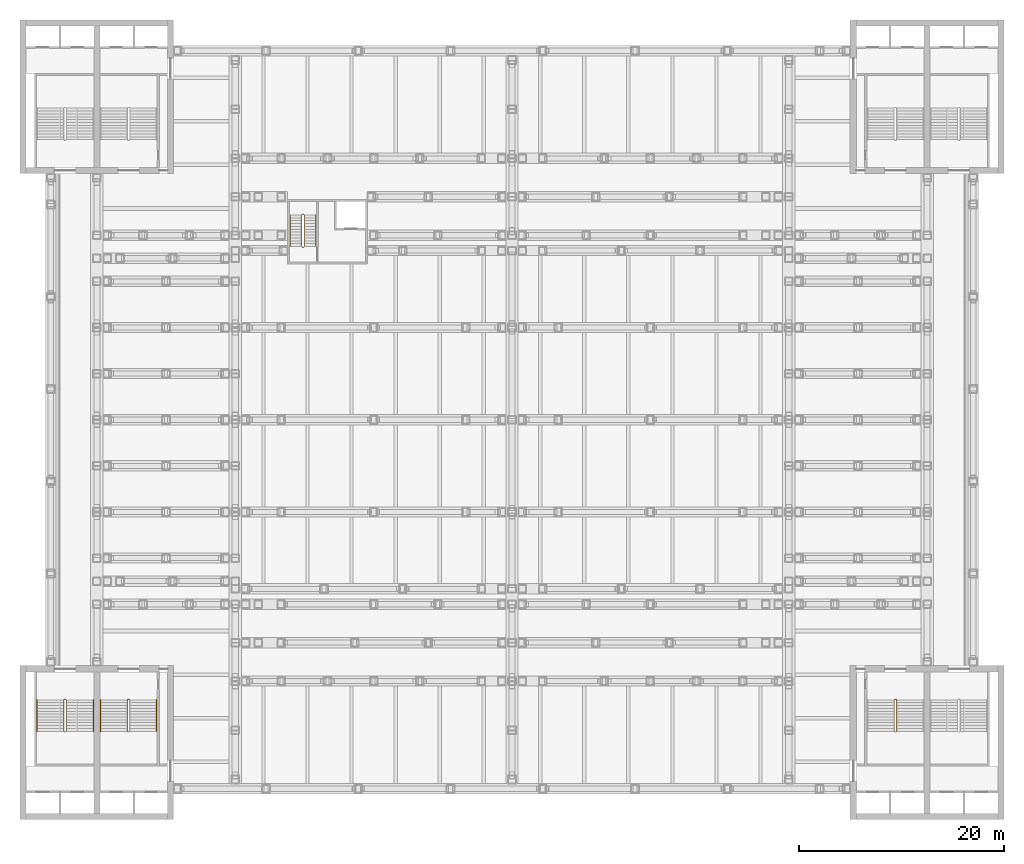
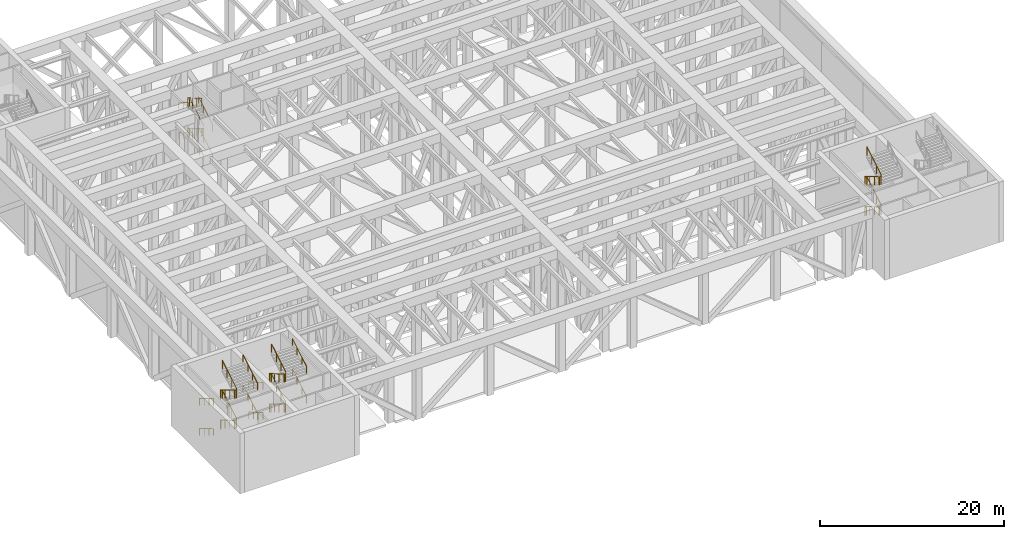
# One storey, part 18 of 20: 6 railings.
"""IFC4 building model written with IfcOpenShell, lengths in metres."""

import ifcopenshell
import ifcopenshell.guid

model = None  # the IFC model being written
_history = None  # IfcOwnerHistory: only IFC2X3 demands one
_inside = {}  # id of a spatial element -> (the spatial element, [elements in it])
_under = {}  # id of a project, library or spatial element -> (it, [spatial elements below it])
_declared = {}  # id of a project -> (the project, [libraries it declares])
_typed = {}  # id of a type object -> (the type object, [elements of that type])
_made_of = {}  # id of a material, layer set ... -> (it, [elements and type objects made of it])


def new_model(schema):
    """Start an empty IFC model of exactly this schema.

    Asked for "IFC4X3", IfcOpenShell would pick the latest addendum, in which some entities
    have other attributes; the version numbers below select the first issue.
    IFC2X3 requires an IfcOwnerHistory on every rooted entity: one is made here for all.
    """
    global model, _history
    if schema == "IFC4X3":
        model = ifcopenshell.file(schema_version=(4, 3, 0, 0))
    else:
        model = ifcopenshell.file(schema=schema)
    _inside.clear()
    _under.clear()
    _declared.clear()
    _typed.clear()
    _made_of.clear()
    _history = None
    if model.schema == "IFC2X3":
        org = make("IfcOrganization", Name="unknown")
        user = make(
            "IfcPersonAndOrganization",
            ThePerson=make("IfcPerson", FamilyName="unknown"),
            TheOrganization=org,
        )
        app = make(
            "IfcApplication",
            ApplicationDeveloper=org,
            Version="unknown",
            ApplicationFullName="unknown",
            ApplicationIdentifier="unknown",
        )
        _history = make(
            "IfcOwnerHistory",
            OwningUser=user,
            OwningApplication=app,
            ChangeAction="ADDED",
            CreationDate=0,
        )
    return model


def make(cls, **values):
    """One entity of the class cls with the attributes given. An attribute that is None is left unset."""
    return model.create_entity(
        cls, **{name: value for name, value in values.items() if value is not None}
    )


def rooted(cls, **values):
    """An entity with a GlobalId (a new one), such as an element, a storey or a relation."""
    return make(cls, GlobalId=ifcopenshell.guid.new(), OwnerHistory=_history, **values)


def si_unit(unit_type, name, prefix=None):
    """IfcSIUnit, for example si_unit("LENGTHUNIT", "METRE", prefix="MILLI")."""
    return make("IfcSIUnit", UnitType=unit_type, Prefix=prefix, Name=name)


def assignment(units):
    """IfcUnitAssignment: the units of a project."""
    return None if units is None else make("IfcUnitAssignment", Units=units)


def point(xyz):
    """IfcCartesianPoint."""
    return None if xyz is None else make("IfcCartesianPoint", Coordinates=xyz)


def direction(xyz):
    """IfcDirection."""
    return None if xyz is None else make("IfcDirection", DirectionRatios=xyz)


def frame(location, z_axis=None, x_axis=None):
    """IfcAxis2Placement3D, a coordinate frame: its origin and axes. An axis left out is left unset."""
    return make(
        "IfcAxis2Placement3D",
        Location=point(location),
        Axis=direction(z_axis),
        RefDirection=direction(x_axis),
    )


def frame_2d(location, x_axis=None):
    """IfcAxis2Placement2D, a coordinate frame in the plane: its origin and x axis."""
    return make(
        "IfcAxis2Placement2D", Location=point(location), RefDirection=direction(x_axis)
    )


def origin():
    """The frame at (0, 0, 0) with its axes left unset."""
    return frame((0.0, 0.0, 0.0))


def origin_2d():
    """The frame at (0, 0) in the plane with its x axis left unset."""
    return frame_2d((0.0, 0.0))


def place(relative_to, where):
    """IfcLocalPlacement: puts the frame where relative to a parent placement (None: the world)."""
    return make(
        "IfcLocalPlacement", PlacementRelTo=relative_to, RelativePlacement=where
    )


def context(
    kind, dimensions, precision=None, world=None, true_north=None, identifier=None
):
    """IfcGeometricRepresentationContext, for example the 3D "Model" context."""
    return make(
        "IfcGeometricRepresentationContext",
        ContextIdentifier=identifier,
        ContextType=kind,
        CoordinateSpaceDimension=dimensions,
        Precision=precision,
        WorldCoordinateSystem=world,
        TrueNorth=true_north,
    )


def subcontext(parent, identifier, kind, view, scale=None):
    """IfcGeometricRepresentationSubContext, for example "Body" below "Model"."""
    return make(
        "IfcGeometricRepresentationSubContext",
        ContextIdentifier=identifier,
        ContextType=kind,
        ParentContext=parent,
        TargetScale=scale,
        TargetView=view,
    )


def project(units=None, contexts=None):
    """IfcProject with its units and contexts."""
    return rooted(
        "IfcProject",
        Name="project",
        RepresentationContexts=contexts,
        UnitsInContext=assignment(units),
    )


def spatial(cls, under=None, at=None, **own):
    """A site, building, storey or space (cls), placed at a placement, below another one or the project."""
    s = rooted(cls, ObjectPlacement=at, **own)
    if under is not None:
        _under.setdefault(under.id(), (under, []))[1].append(s)
    return s


def profile(cls, at=None, kind="AREA", **sizes):
    """A parametric profile (cls). Its sizes go by their IFC names, for example OverallWidth=200.0."""
    return make(cls, ProfileType=kind, Position=at, **sizes)


def circle(**sizes):
    """IfcCircleProfileDef."""
    return profile("IfcCircleProfileDef", **sizes)


def extrude(swept, where, along, depth):
    """IfcExtrudedAreaSolid: the profile swept, set in the frame where, extruded along a direction by depth."""
    return make(
        "IfcExtrudedAreaSolid",
        SweptArea=swept,
        Position=where,
        ExtrudedDirection=direction(along),
        Depth=depth,
    )


def shape(context_of_items, identifier, shape_type, items):
    """IfcShapeRepresentation: the items that make up one representation, for example the "Body"."""
    return make(
        "IfcShapeRepresentation",
        ContextOfItems=context_of_items,
        RepresentationIdentifier=identifier,
        RepresentationType=shape_type,
        Items=items,
    )


def material(Name=None, Category=None):
    """IfcMaterial."""
    return make("IfcMaterial", Name=Name, Category=Category)


def made_of(thing, what):
    """Note that an element or type object is made of a material, layer set ...; save() writes the relation."""
    if what is not None:
        _made_of.setdefault(what.id(), (what, []))[1].append(thing)
    return thing


def type_object(cls, material=None, **own):
    """A type object (cls), such as IfcWallType, which elements share."""
    return made_of(rooted(cls, **own), material)


def element(
    cls,
    number,
    at=None,
    inside=None,
    cuts=None,
    type_object=None,
    material=None,
    context=None,
    identifier="Body",
    shape_type=None,
    held_by="IfcProductDefinitionShape",
    body=None,
    shapes=None,
    **own,
):
    """One element of the class cls, such as IfcWall. Its Tag is "e" and its number.

    at: its placement. inside: the storey or other place that contains it. cuts: it is an
    opening in that element (IfcRelVoidsElement). A single representation is given by context,
    identifier, shape_type and body (its items); several are given by shapes. held_by: the class
    of the entity that holds the representations. save() writes the other relations.
    """
    e = rooted(cls, Tag="e%d" % number, ObjectPlacement=at, **own)
    if body is not None:
        shapes = [shape(context, identifier, shape_type, body)]
    if shapes is not None:
        e.Representation = make(held_by, Representations=shapes)
    if inside is not None:
        _inside.setdefault(inside.id(), (inside, []))[1].append(e)
    if cuts is not None:
        rooted(
            "IfcRelVoidsElement", RelatingBuildingElement=cuts, RelatedOpeningElement=e
        )
    if type_object is not None:
        _typed.setdefault(type_object.id(), (type_object, []))[1].append(e)
    return made_of(e, material)


def aggregate(whole, parts):
    """IfcRelAggregates: a whole, such as a stair, and the parts it consists of."""
    return rooted("IfcRelAggregates", RelatingObject=whole, RelatedObjects=parts)


def save(model, path):
    """Write the relations noted so far, then the file.

    IfcRelAggregates (storeys below a building ...), IfcRelContainedInSpatialStructure (elements
    in a storey), IfcRelDefinesByType, IfcRelAssociatesMaterial and IfcRelDeclares: one each for
    every whole, place, type object, material and project.
    """
    for whole, parts in _under.values():
        aggregate(whole, parts)
    for where, things in _inside.values():
        rooted(
            "IfcRelContainedInSpatialStructure",
            RelatedElements=things,
            RelatingStructure=where,
        )
    for kind, things in _typed.values():
        rooted("IfcRelDefinesByType", RelatedObjects=things, RelatingType=kind)
    for what, things in _made_of.values():
        rooted("IfcRelAssociatesMaterial", RelatedObjects=things, RelatingMaterial=what)
    for by, libraries in _declared.values():
        rooted("IfcRelDeclares", RelatingContext=by, RelatedDefinitions=libraries)
    model.write(path)


model = new_model("IFC4")

# Units and contexts
model_context = context("Model", 3, precision=1e-05, world=origin(), true_north=direction((0.0, 1.0)))
body_context = subcontext(model_context, "Body", "Model", "MODEL_VIEW")
ifc_project = project(units=[si_unit("LENGTHUNIT", "METRE"), si_unit("AREAUNIT", "SQUARE_METRE"), si_unit("VOLUMEUNIT", "CUBIC_METRE"), si_unit("PLANEANGLEUNIT", "RADIAN"), si_unit("MASSUNIT", "GRAM", prefix="KILO")], contexts=[model_context])

# Site, building, storey
site_placement = place(None, origin())
site = spatial("IfcSite", under=ifc_project, at=site_placement, CompositionType="ELEMENT")
building_placement = place(site_placement, origin())
building = spatial("IfcBuilding", under=site, at=building_placement, Name="Corbelhall Arena Tower", CompositionType="ELEMENT")
storey_placement = place(building_placement, frame((0.0, 0.0, 44.0)))
storey = spatial("IfcBuildingStorey", under=building, at=storey_placement, Name="L06", CompositionType="ELEMENT", Elevation=44.0)

# Railings
ifc_material_1 = material(Name="Stainless steel A4", Category="steel")
railing_type_1 = type_object("IfcRailingType", Name="AR-STAIR-GUARD", PredefinedType="GUARDRAIL", material=ifc_material_1)
railing_1_placement = place(storey_placement, frame((37.280029296875, -27.320068359375, 0.166748046875)))
element("IfcRailing", 1, at=railing_1_placement, inside=storey, type_object=railing_type_1, Name="L06 AS5 stair guards", PredefinedType="GUARDRAIL", context=body_context, shape_type="SweptSolid", body=[
    extrude(circle(Radius=0.02392578125, at=origin_2d()), frame((0.0, 0.0, 1.076171875), z_axis=(0.0, -0.859290745958, 0.51148745235), x_axis=(1.0, 0.0, 0.0)), (0.0, 0.0, 1.0), 3.584228515625),
    extrude(circle(Radius=0.02392578125, at=origin_2d()), frame((0.050048828125, -3.1298828125, 2.9091796875), z_axis=(1.0, 0.0, 0.0), x_axis=(0.0, 1.0, 0.0)), (0.0, 0.0, 1.0), 0.14990234375),
    extrude(circle(Radius=0.02392578125, at=origin_2d()), frame((0.25, -3.079833984375, 3.076171875), z_axis=(0.0, 0.859290745958, 0.51148745235), x_axis=(-1.0, 0.0, 0.0)), (0.0, 0.0, 1.0), 3.584228515625),
    extrude(circle(Radius=0.02392578125, at=origin_2d()), frame((0.050048828125, 0.050048828125, 4.9091796875), z_axis=(1.0, 0.0, 0.0), x_axis=(0.0, 1.0, 0.0)), (0.0, 0.0, 1.0), 0.14990234375),
    extrude(circle(Radius=0.02392578125, at=origin_2d()), frame((0.0, 0.0, 5.076171875), z_axis=(0.0, -0.859290745958, 0.51148745235), x_axis=(1.0, 0.0, 0.0)), (0.0, 0.0, 1.0), 3.584228515625),
    extrude(circle(Radius=0.02392578125, at=origin_2d()), frame((0.050048828125, -3.1298828125, 6.9091796875), z_axis=(1.0, 0.0, 0.0), x_axis=(0.0, 1.0, 0.0)), (0.0, 0.0, 1.0), 0.14990234375),
    extrude(circle(Radius=0.02392578125, at=origin_2d()), frame((0.25, -3.079833984375, 7.076171875), z_axis=(0.0, 0.859290745958, 0.51148745235), x_axis=(-1.0, 0.0, 0.0)), (0.0, 0.0, 1.0), 3.584228515625),
    extrude(circle(Radius=0.02392578125, at=origin_2d()), frame((0.050048828125, 0.050048828125, 0.9091796875), z_axis=(1.0, 0.0, 0.0), x_axis=(0.0, 1.0, 0.0)), (0.0, 0.0, 1.0), 0.14990234375),
    extrude(circle(Radius=0.02099609375, at=origin_2d()), origin(), (0.0, 0.0, 1.0), 1.052001953125),
    extrude(circle(Radius=0.02099609375, at=origin_2d()), frame((0.0, -1.026611328125, 0.611083984375)), (0.0, 0.0, 1.0), 1.052001953125),
    extrude(circle(Radius=0.02099609375, at=origin_2d()), frame((0.0, -2.05322265625, 1.22216796875)), (0.0, 0.0, 1.0), 1.052001953125),
    extrude(circle(Radius=0.02099609375, at=origin_2d()), frame((0.0, -3.079833984375, 1.833251953125)), (0.0, 0.0, 1.0), 1.052001953125),
    extrude(circle(Radius=0.02099609375, at=origin_2d()), frame((0.050048828125, -3.1298828125, 1.833251953125)), (0.0, 0.0, 1.0), 1.052001953125),
    extrude(circle(Radius=0.02099609375, at=origin_2d()), frame((0.199951171875, -3.1298828125, 1.833251953125)), (0.0, 0.0, 1.0), 1.052001953125),
    extrude(circle(Radius=0.02099609375, at=origin_2d()), frame((0.25, -3.079833984375, 2.0)), (0.0, 0.0, 1.0), 1.052001953125),
    extrude(circle(Radius=0.02099609375, at=origin_2d()), frame((0.25, -2.05322265625, 2.611083984375)), (0.0, 0.0, 1.0), 1.052001953125),
    extrude(circle(Radius=0.02099609375, at=origin_2d()), frame((0.25, -1.026611328125, 3.22216796875)), (0.0, 0.0, 1.0), 1.052001953125),
    extrude(circle(Radius=0.02099609375, at=origin_2d()), frame((0.25, 0.0, 3.833251953125)), (0.0, 0.0, 1.0), 1.052001953125),
    extrude(circle(Radius=0.02099609375, at=origin_2d()), frame((0.050048828125, 0.050048828125, 3.833251953125)), (0.0, 0.0, 1.0), 1.052001953125),
    extrude(circle(Radius=0.02099609375, at=origin_2d()), frame((0.199951171875, 0.050048828125, 3.833251953125)), (0.0, 0.0, 1.0), 1.052001953125),
    extrude(circle(Radius=0.02099609375, at=origin_2d()), frame((0.0, 0.0, 4.0)), (0.0, 0.0, 1.0), 1.052001953125),
    extrude(circle(Radius=0.02099609375, at=origin_2d()), frame((0.0, -1.026611328125, 4.611083984375)), (0.0, 0.0, 1.0), 1.052001953125),
    extrude(circle(Radius=0.02099609375, at=origin_2d()), frame((0.0, -2.05322265625, 5.22216796875)), (0.0, 0.0, 1.0), 1.052001953125),
    extrude(circle(Radius=0.02099609375, at=origin_2d()), frame((0.0, -3.079833984375, 5.833251953125)), (0.0, 0.0, 1.0), 1.052001953125),
    extrude(circle(Radius=0.02099609375, at=origin_2d()), frame((0.050048828125, -3.1298828125, 5.833251953125)), (0.0, 0.0, 1.0), 1.052001953125),
    extrude(circle(Radius=0.02099609375, at=origin_2d()), frame((0.199951171875, -3.1298828125, 5.833251953125)), (0.0, 0.0, 1.0), 1.052001953125),
    extrude(circle(Radius=0.02099609375, at=origin_2d()), frame((0.25, -3.079833984375, 6.0)), (0.0, 0.0, 1.0), 1.052001953125),
    extrude(circle(Radius=0.02099609375, at=origin_2d()), frame((0.25, -2.05322265625, 6.611083984375)), (0.0, 0.0, 1.0), 1.052001953125),
    extrude(circle(Radius=0.02099609375, at=origin_2d()), frame((0.25, -1.026611328125, 7.22216796875)), (0.0, 0.0, 1.0), 1.052001953125),
    extrude(circle(Radius=0.02099609375, at=origin_2d()), frame((0.25, 0.0, 7.833251953125)), (0.0, 0.0, 1.0), 1.052001953125),
    extrude(circle(Radius=0.02099609375, at=origin_2d()), frame((0.050048828125, 0.050048828125, -0.166748046875)), (0.0, 0.0, 1.0), 1.052001953125),
    extrude(circle(Radius=0.02099609375, at=origin_2d()), frame((0.199951171875, 0.050048828125, -0.166748046875)), (0.0, 0.0, 1.0), 1.052001953125),
])
railing_2_placement = place(storey_placement, frame((-37.530029296875, -27.320068359375, 0.166748046875)))
element("IfcRailing", 2, at=railing_2_placement, inside=storey, type_object=railing_type_1, Name="L06 AS7 stair guards", PredefinedType="GUARDRAIL", context=body_context, shape_type="SweptSolid", body=[
    extrude(circle(Radius=0.02392578125, at=origin_2d()), frame((0.0, 0.0, 1.076171875), z_axis=(0.0, -0.859290745958, 0.51148745235), x_axis=(1.0, 0.0, 0.0)), (0.0, 0.0, 1.0), 3.584228515625),
    extrude(circle(Radius=0.02392578125, at=origin_2d()), frame((0.050048828125, -3.1298828125, 2.9091796875), z_axis=(1.0, 0.0, 0.0), x_axis=(0.0, 1.0, 0.0)), (0.0, 0.0, 1.0), 0.14990234375),
    extrude(circle(Radius=0.02392578125, at=origin_2d()), frame((0.25, -3.079833984375, 3.076171875), z_axis=(0.0, 0.859290745958, 0.51148745235), x_axis=(-1.0, 0.0, 0.0)), (0.0, 0.0, 1.0), 3.584228515625),
    extrude(circle(Radius=0.02392578125, at=origin_2d()), frame((0.050048828125, 0.050048828125, 4.9091796875), z_axis=(1.0, 0.0, 0.0), x_axis=(0.0, 1.0, 0.0)), (0.0, 0.0, 1.0), 0.14990234375),
    extrude(circle(Radius=0.02392578125, at=origin_2d()), frame((0.0, 0.0, 5.076171875), z_axis=(0.0, -0.859290745958, 0.51148745235), x_axis=(1.0, 0.0, 0.0)), (0.0, 0.0, 1.0), 3.584228515625),
    extrude(circle(Radius=0.02392578125, at=origin_2d()), frame((0.050048828125, -3.1298828125, 6.9091796875), z_axis=(1.0, 0.0, 0.0), x_axis=(0.0, 1.0, 0.0)), (0.0, 0.0, 1.0), 0.14990234375),
    extrude(circle(Radius=0.02392578125, at=origin_2d()), frame((0.25, -3.079833984375, 7.076171875), z_axis=(0.0, 0.859290745958, 0.51148745235), x_axis=(-1.0, 0.0, 0.0)), (0.0, 0.0, 1.0), 3.584228515625),
    extrude(circle(Radius=0.02392578125, at=origin_2d()), frame((0.050048828125, 0.050048828125, 0.9091796875), z_axis=(1.0, 0.0, 0.0), x_axis=(0.0, 1.0, 0.0)), (0.0, 0.0, 1.0), 0.14990234375),
    extrude(circle(Radius=0.02099609375, at=origin_2d()), origin(), (0.0, 0.0, 1.0), 1.052001953125),
    extrude(circle(Radius=0.02099609375, at=origin_2d()), frame((0.0, -1.026611328125, 0.611083984375)), (0.0, 0.0, 1.0), 1.052001953125),
    extrude(circle(Radius=0.02099609375, at=origin_2d()), frame((0.0, -2.05322265625, 1.22216796875)), (0.0, 0.0, 1.0), 1.052001953125),
    extrude(circle(Radius=0.02099609375, at=origin_2d()), frame((0.0, -3.079833984375, 1.833251953125)), (0.0, 0.0, 1.0), 1.052001953125),
    extrude(circle(Radius=0.02099609375, at=origin_2d()), frame((0.050048828125, -3.1298828125, 1.833251953125)), (0.0, 0.0, 1.0), 1.052001953125),
    extrude(circle(Radius=0.02099609375, at=origin_2d()), frame((0.199951171875, -3.1298828125, 1.833251953125)), (0.0, 0.0, 1.0), 1.052001953125),
    extrude(circle(Radius=0.02099609375, at=origin_2d()), frame((0.25, -3.079833984375, 2.0)), (0.0, 0.0, 1.0), 1.052001953125),
    extrude(circle(Radius=0.02099609375, at=origin_2d()), frame((0.25, -2.05322265625, 2.611083984375)), (0.0, 0.0, 1.0), 1.052001953125),
    extrude(circle(Radius=0.02099609375, at=origin_2d()), frame((0.25, -1.026611328125, 3.22216796875)), (0.0, 0.0, 1.0), 1.052001953125),
    extrude(circle(Radius=0.02099609375, at=origin_2d()), frame((0.25, 0.0, 3.833251953125)), (0.0, 0.0, 1.0), 1.052001953125),
    extrude(circle(Radius=0.02099609375, at=origin_2d()), frame((0.050048828125, 0.050048828125, 3.833251953125)), (0.0, 0.0, 1.0), 1.052001953125),
    extrude(circle(Radius=0.02099609375, at=origin_2d()), frame((0.199951171875, 0.050048828125, 3.833251953125)), (0.0, 0.0, 1.0), 1.052001953125),
    extrude(circle(Radius=0.02099609375, at=origin_2d()), frame((0.0, 0.0, 4.0)), (0.0, 0.0, 1.0), 1.052001953125),
    extrude(circle(Radius=0.02099609375, at=origin_2d()), frame((0.0, -1.026611328125, 4.611083984375)), (0.0, 0.0, 1.0), 1.052001953125),
    extrude(circle(Radius=0.02099609375, at=origin_2d()), frame((0.0, -2.05322265625, 5.22216796875)), (0.0, 0.0, 1.0), 1.052001953125),
    extrude(circle(Radius=0.02099609375, at=origin_2d()), frame((0.0, -3.079833984375, 5.833251953125)), (0.0, 0.0, 1.0), 1.052001953125),
    extrude(circle(Radius=0.02099609375, at=origin_2d()), frame((0.050048828125, -3.1298828125, 5.833251953125)), (0.0, 0.0, 1.0), 1.052001953125),
    extrude(circle(Radius=0.02099609375, at=origin_2d()), frame((0.199951171875, -3.1298828125, 5.833251953125)), (0.0, 0.0, 1.0), 1.052001953125),
    extrude(circle(Radius=0.02099609375, at=origin_2d()), frame((0.25, -3.079833984375, 6.0)), (0.0, 0.0, 1.0), 1.052001953125),
    extrude(circle(Radius=0.02099609375, at=origin_2d()), frame((0.25, -2.05322265625, 6.611083984375)), (0.0, 0.0, 1.0), 1.052001953125),
    extrude(circle(Radius=0.02099609375, at=origin_2d()), frame((0.25, -1.026611328125, 7.22216796875)), (0.0, 0.0, 1.0), 1.052001953125),
    extrude(circle(Radius=0.02099609375, at=origin_2d()), frame((0.25, 0.0, 7.833251953125)), (0.0, 0.0, 1.0), 1.052001953125),
    extrude(circle(Radius=0.02099609375, at=origin_2d()), frame((0.050048828125, 0.050048828125, -0.166748046875)), (0.0, 0.0, 1.0), 1.052001953125),
    extrude(circle(Radius=0.02099609375, at=origin_2d()), frame((0.199951171875, 0.050048828125, -0.166748046875)), (0.0, 0.0, 1.0), 1.052001953125),
])
railing_3_placement = place(storey_placement, frame((-43.719970703125, -27.320068359375, 0.166748046875)))
element("IfcRailing", 3, at=railing_3_placement, inside=storey, type_object=railing_type_1, Name="L06 AS8 stair guards", PredefinedType="GUARDRAIL", context=body_context, shape_type="SweptSolid", body=[
    extrude(circle(Radius=0.02392578125, at=origin_2d()), frame((0.0, 0.0, 1.076171875), z_axis=(0.0, -0.859290745958, 0.51148745235), x_axis=(1.0, 0.0, 0.0)), (0.0, 0.0, 1.0), 3.584228515625),
    extrude(circle(Radius=0.02392578125, at=origin_2d()), frame((0.050048828125, -3.1298828125, 2.9091796875), z_axis=(1.0, 0.0, 0.0), x_axis=(0.0, 1.0, 0.0)), (0.0, 0.0, 1.0), 0.14990234375),
    extrude(circle(Radius=0.02392578125, at=origin_2d()), frame((0.25, -3.079833984375, 3.076171875), z_axis=(0.0, 0.859290745958, 0.51148745235), x_axis=(-1.0, 0.0, 0.0)), (0.0, 0.0, 1.0), 3.584228515625),
    extrude(circle(Radius=0.02392578125, at=origin_2d()), frame((0.050048828125, 0.050048828125, 4.9091796875), z_axis=(1.0, 0.0, 0.0), x_axis=(0.0, 1.0, 0.0)), (0.0, 0.0, 1.0), 0.14990234375),
    extrude(circle(Radius=0.02392578125, at=origin_2d()), frame((0.0, 0.0, 5.076171875), z_axis=(0.0, -0.859290745958, 0.51148745235), x_axis=(1.0, 0.0, 0.0)), (0.0, 0.0, 1.0), 3.584228515625),
    extrude(circle(Radius=0.02392578125, at=origin_2d()), frame((0.050048828125, -3.1298828125, 6.9091796875), z_axis=(1.0, 0.0, 0.0), x_axis=(0.0, 1.0, 0.0)), (0.0, 0.0, 1.0), 0.14990234375),
    extrude(circle(Radius=0.02392578125, at=origin_2d()), frame((0.25, -3.079833984375, 7.076171875), z_axis=(0.0, 0.859290745958, 0.51148745235), x_axis=(-1.0, 0.0, 0.0)), (0.0, 0.0, 1.0), 3.584228515625),
    extrude(circle(Radius=0.02392578125, at=origin_2d()), frame((0.050048828125, 0.050048828125, 0.9091796875), z_axis=(1.0, 0.0, 0.0), x_axis=(0.0, 1.0, 0.0)), (0.0, 0.0, 1.0), 0.14990234375),
    extrude(circle(Radius=0.02099609375, at=origin_2d()), origin(), (0.0, 0.0, 1.0), 1.052001953125),
    extrude(circle(Radius=0.02099609375, at=origin_2d()), frame((0.0, -1.026611328125, 0.611083984375)), (0.0, 0.0, 1.0), 1.052001953125),
    extrude(circle(Radius=0.02099609375, at=origin_2d()), frame((0.0, -2.05322265625, 1.22216796875)), (0.0, 0.0, 1.0), 1.052001953125),
    extrude(circle(Radius=0.02099609375, at=origin_2d()), frame((0.0, -3.079833984375, 1.833251953125)), (0.0, 0.0, 1.0), 1.052001953125),
    extrude(circle(Radius=0.02099609375, at=origin_2d()), frame((0.050048828125, -3.1298828125, 1.833251953125)), (0.0, 0.0, 1.0), 1.052001953125),
    extrude(circle(Radius=0.02099609375, at=origin_2d()), frame((0.199951171875, -3.1298828125, 1.833251953125)), (0.0, 0.0, 1.0), 1.052001953125),
    extrude(circle(Radius=0.02099609375, at=origin_2d()), frame((0.25, -3.079833984375, 2.0)), (0.0, 0.0, 1.0), 1.052001953125),
    extrude(circle(Radius=0.02099609375, at=origin_2d()), frame((0.25, -2.05322265625, 2.611083984375)), (0.0, 0.0, 1.0), 1.052001953125),
    extrude(circle(Radius=0.02099609375, at=origin_2d()), frame((0.25, -1.026611328125, 3.22216796875)), (0.0, 0.0, 1.0), 1.052001953125),
    extrude(circle(Radius=0.02099609375, at=origin_2d()), frame((0.25, 0.0, 3.833251953125)), (0.0, 0.0, 1.0), 1.052001953125),
    extrude(circle(Radius=0.02099609375, at=origin_2d()), frame((0.050048828125, 0.050048828125, 3.833251953125)), (0.0, 0.0, 1.0), 1.052001953125),
    extrude(circle(Radius=0.02099609375, at=origin_2d()), frame((0.199951171875, 0.050048828125, 3.833251953125)), (0.0, 0.0, 1.0), 1.052001953125),
    extrude(circle(Radius=0.02099609375, at=origin_2d()), frame((0.0, 0.0, 4.0)), (0.0, 0.0, 1.0), 1.052001953125),
    extrude(circle(Radius=0.02099609375, at=origin_2d()), frame((0.0, -1.026611328125, 4.611083984375)), (0.0, 0.0, 1.0), 1.052001953125),
    extrude(circle(Radius=0.02099609375, at=origin_2d()), frame((0.0, -2.05322265625, 5.22216796875)), (0.0, 0.0, 1.0), 1.052001953125),
    extrude(circle(Radius=0.02099609375, at=origin_2d()), frame((0.0, -3.079833984375, 5.833251953125)), (0.0, 0.0, 1.0), 1.052001953125),
    extrude(circle(Radius=0.02099609375, at=origin_2d()), frame((0.050048828125, -3.1298828125, 5.833251953125)), (0.0, 0.0, 1.0), 1.052001953125),
    extrude(circle(Radius=0.02099609375, at=origin_2d()), frame((0.199951171875, -3.1298828125, 5.833251953125)), (0.0, 0.0, 1.0), 1.052001953125),
    extrude(circle(Radius=0.02099609375, at=origin_2d()), frame((0.25, -3.079833984375, 6.0)), (0.0, 0.0, 1.0), 1.052001953125),
    extrude(circle(Radius=0.02099609375, at=origin_2d()), frame((0.25, -2.05322265625, 6.611083984375)), (0.0, 0.0, 1.0), 1.052001953125),
    extrude(circle(Radius=0.02099609375, at=origin_2d()), frame((0.25, -1.026611328125, 7.22216796875)), (0.0, 0.0, 1.0), 1.052001953125),
    extrude(circle(Radius=0.02099609375, at=origin_2d()), frame((0.25, 0.0, 7.833251953125)), (0.0, 0.0, 1.0), 1.052001953125),
    extrude(circle(Radius=0.02099609375, at=origin_2d()), frame((0.050048828125, 0.050048828125, -0.166748046875)), (0.0, 0.0, 1.0), 1.052001953125),
    extrude(circle(Radius=0.02099609375, at=origin_2d()), frame((0.199951171875, 0.050048828125, -0.166748046875)), (0.0, 0.0, 1.0), 1.052001953125),
])
railing_type_2 = type_object("IfcRailingType", Name="AR-STAIR-HANDRAIL", PredefinedType="HANDRAIL", material=ifc_material_1)
railing_4_placement = place(storey_placement, frame((-40.14990234375, -27.320068359375, 0.166748046875)))
element("IfcRailing", 4, at=railing_4_placement, inside=storey, type_object=railing_type_2, Name="L06 AS7 stair handrails", PredefinedType="HANDRAIL", context=body_context, shape_type="SweptSolid", body=[
    extrude(circle(Radius=0.02392578125, at=origin_2d()), frame((0.0, 0.0, 0.8759765625), z_axis=(0.0, -0.859290745958, 0.51148745235), x_axis=(1.0, 0.0, 0.0)), (0.0, 0.0, 1.0), 3.584228515625),
    extrude(circle(Radius=0.02392578125, at=origin_2d()), frame((5.489990234375, -3.079833984375, 2.8759765625), z_axis=(0.0, 0.859290745958, 0.51148745235), x_axis=(-1.0, 0.0, 0.0)), (0.0, 0.0, 1.0), 3.584228515625),
    extrude(circle(Radius=0.02392578125, at=origin_2d()), frame((0.0, 0.0, 4.8759765625), z_axis=(0.0, -0.859290745958, 0.51148745235), x_axis=(1.0, 0.0, 0.0)), (0.0, 0.0, 1.0), 3.584228515625),
    extrude(circle(Radius=0.02392578125, at=origin_2d()), frame((5.489990234375, -3.079833984375, 6.8759765625), z_axis=(0.0, 0.859290745958, 0.51148745235), x_axis=(-1.0, 0.0, 0.0)), (0.0, 0.0, 1.0), 3.584228515625),
    extrude(circle(Radius=0.02099609375, at=origin_2d()), origin(), (0.0, 0.0, 1.0), 0.851806640625),
    extrude(circle(Radius=0.02099609375, at=origin_2d()), frame((0.0, -1.026611328125, 0.611083984375)), (0.0, 0.0, 1.0), 0.851806640625),
    extrude(circle(Radius=0.02099609375, at=origin_2d()), frame((0.0, -2.05322265625, 1.22216796875)), (0.0, 0.0, 1.0), 0.851806640625),
    extrude(circle(Radius=0.02099609375, at=origin_2d()), frame((0.0, -3.079833984375, 1.833251953125)), (0.0, 0.0, 1.0), 0.851806640625),
    extrude(circle(Radius=0.02099609375, at=origin_2d()), frame((5.489990234375, -3.079833984375, 2.0)), (0.0, 0.0, 1.0), 0.851806640625),
    extrude(circle(Radius=0.02099609375, at=origin_2d()), frame((5.489990234375, -2.05322265625, 2.611083984375)), (0.0, 0.0, 1.0), 0.851806640625),
    extrude(circle(Radius=0.02099609375, at=origin_2d()), frame((5.489990234375, -1.026611328125, 3.22216796875)), (0.0, 0.0, 1.0), 0.851806640625),
    extrude(circle(Radius=0.02099609375, at=origin_2d()), frame((5.489990234375, 0.0, 3.833251953125)), (0.0, 0.0, 1.0), 0.851806640625),
    extrude(circle(Radius=0.02099609375, at=origin_2d()), frame((0.0, 0.0, 4.0)), (0.0, 0.0, 1.0), 0.851806640625),
    extrude(circle(Radius=0.02099609375, at=origin_2d()), frame((0.0, -1.026611328125, 4.611083984375)), (0.0, 0.0, 1.0), 0.851806640625),
    extrude(circle(Radius=0.02099609375, at=origin_2d()), frame((0.0, -2.05322265625, 5.22216796875)), (0.0, 0.0, 1.0), 0.851806640625),
    extrude(circle(Radius=0.02099609375, at=origin_2d()), frame((0.0, -3.079833984375, 5.833251953125)), (0.0, 0.0, 1.0), 0.851806640625),
    extrude(circle(Radius=0.02099609375, at=origin_2d()), frame((5.489990234375, -3.079833984375, 6.0)), (0.0, 0.0, 1.0), 0.851806640625),
    extrude(circle(Radius=0.02099609375, at=origin_2d()), frame((5.489990234375, -2.05322265625, 6.611083984375)), (0.0, 0.0, 1.0), 0.851806640625),
    extrude(circle(Radius=0.02099609375, at=origin_2d()), frame((5.489990234375, -1.026611328125, 7.22216796875)), (0.0, 0.0, 1.0), 0.851806640625),
    extrude(circle(Radius=0.02099609375, at=origin_2d()), frame((5.489990234375, 0.0, 7.833251953125)), (0.0, 0.0, 1.0), 0.851806640625),
])
railing_5_placement = place(storey_placement, frame((-46.340087890625, -27.320068359375, 0.166748046875)))
element("IfcRailing", 5, at=railing_5_placement, inside=storey, type_object=railing_type_2, Name="L06 AS8 stair handrails", PredefinedType="HANDRAIL", context=body_context, shape_type="SweptSolid", body=[
    extrude(circle(Radius=0.02392578125, at=origin_2d()), frame((0.0, 0.0, 0.8759765625), z_axis=(0.0, -0.859290745958, 0.51148745235), x_axis=(1.0, 0.0, 0.0)), (0.0, 0.0, 1.0), 3.584228515625),
    extrude(circle(Radius=0.02392578125, at=origin_2d()), frame((5.489990234375, -3.079833984375, 2.8759765625), z_axis=(0.0, 0.859290745958, 0.51148745235), x_axis=(-1.0, 0.0, 0.0)), (0.0, 0.0, 1.0), 3.584228515625),
    extrude(circle(Radius=0.02392578125, at=origin_2d()), frame((0.0, 0.0, 4.8759765625), z_axis=(0.0, -0.859290745958, 0.51148745235), x_axis=(1.0, 0.0, 0.0)), (0.0, 0.0, 1.0), 3.584228515625),
    extrude(circle(Radius=0.02392578125, at=origin_2d()), frame((5.489990234375, -3.079833984375, 6.8759765625), z_axis=(0.0, 0.859290745958, 0.51148745235), x_axis=(-1.0, 0.0, 0.0)), (0.0, 0.0, 1.0), 3.584228515625),
    extrude(circle(Radius=0.02099609375, at=origin_2d()), origin(), (0.0, 0.0, 1.0), 0.851806640625),
    extrude(circle(Radius=0.02099609375, at=origin_2d()), frame((0.0, -1.026611328125, 0.611083984375)), (0.0, 0.0, 1.0), 0.851806640625),
    extrude(circle(Radius=0.02099609375, at=origin_2d()), frame((0.0, -2.05322265625, 1.22216796875)), (0.0, 0.0, 1.0), 0.851806640625),
    extrude(circle(Radius=0.02099609375, at=origin_2d()), frame((0.0, -3.079833984375, 1.833251953125)), (0.0, 0.0, 1.0), 0.851806640625),
    extrude(circle(Radius=0.02099609375, at=origin_2d()), frame((5.489990234375, -3.079833984375, 2.0)), (0.0, 0.0, 1.0), 0.851806640625),
    extrude(circle(Radius=0.02099609375, at=origin_2d()), frame((5.489990234375, -2.05322265625, 2.611083984375)), (0.0, 0.0, 1.0), 0.851806640625),
    extrude(circle(Radius=0.02099609375, at=origin_2d()), frame((5.489990234375, -1.026611328125, 3.22216796875)), (0.0, 0.0, 1.0), 0.851806640625),
    extrude(circle(Radius=0.02099609375, at=origin_2d()), frame((5.489990234375, 0.0, 3.833251953125)), (0.0, 0.0, 1.0), 0.851806640625),
    extrude(circle(Radius=0.02099609375, at=origin_2d()), frame((0.0, 0.0, 4.0)), (0.0, 0.0, 1.0), 0.851806640625),
    extrude(circle(Radius=0.02099609375, at=origin_2d()), frame((0.0, -1.026611328125, 4.611083984375)), (0.0, 0.0, 1.0), 0.851806640625),
    extrude(circle(Radius=0.02099609375, at=origin_2d()), frame((0.0, -2.05322265625, 5.22216796875)), (0.0, 0.0, 1.0), 0.851806640625),
    extrude(circle(Radius=0.02099609375, at=origin_2d()), frame((0.0, -3.079833984375, 5.833251953125)), (0.0, 0.0, 1.0), 0.851806640625),
    extrude(circle(Radius=0.02099609375, at=origin_2d()), frame((5.489990234375, -3.079833984375, 6.0)), (0.0, 0.0, 1.0), 0.851806640625),
    extrude(circle(Radius=0.02099609375, at=origin_2d()), frame((5.489990234375, -2.05322265625, 6.611083984375)), (0.0, 0.0, 1.0), 0.851806640625),
    extrude(circle(Radius=0.02099609375, at=origin_2d()), frame((5.489990234375, -1.026611328125, 7.22216796875)), (0.0, 0.0, 1.0), 0.851806640625),
    extrude(circle(Radius=0.02099609375, at=origin_2d()), frame((5.489990234375, 0.0, 7.833251953125)), (0.0, 0.0, 1.0), 0.851806640625),
])
ifc_material_2 = material(Name="Steel ASTM A500 Gr C", Category="steel")
railing_type_3 = type_object("IfcRailingType", Name="IN-GD-1100", PredefinedType="GUARDRAIL", material=ifc_material_2)
railing_6_placement = place(storey_placement, frame((-20.2451171875, 16.89990234375, 0.166748046875)))
element("IfcRailing", 6, at=railing_6_placement, inside=storey, type_object=railing_type_3, Name="L06 AS17 stair guards and handrails", PredefinedType="GUARDRAIL", context=body_context, shape_type="SweptSolid", body=[
    extrude(circle(Radius=0.02392578125, at=origin_2d()), frame((0.0, 0.0, 1.076171875), z_axis=(0.0, 0.859308565015, 0.511457515432), x_axis=(-1.0, 0.0, 0.0)), (0.0, 0.0, 1.0), 3.58447265625),
    extrude(circle(Radius=0.02392578125, at=origin_2d()), frame((-0.0498046875, 3.130126953125, 2.9091796875), z_axis=(-1.0, 0.0, 0.0), x_axis=(0.0, -1.0, 0.0)), (0.0, 0.0, 1.0), 0.2001953125),
    extrude(circle(Radius=0.02392578125, at=origin_2d()), frame((-0.2998046875, 3.080078125, 3.076171875), z_axis=(0.0, -0.859308565015, 0.511457515432), x_axis=(1.0, 0.0, 0.0)), (0.0, 0.0, 1.0), 3.58447265625),
    extrude(circle(Radius=0.02392578125, at=origin_2d()), frame((-0.0498046875, -0.0498046875, 4.9091796875), z_axis=(-1.0, 0.0, 0.0), x_axis=(0.0, -1.0, 0.0)), (0.0, 0.0, 1.0), 0.2001953125),
    extrude(circle(Radius=0.02392578125, at=origin_2d()), frame((0.0, 0.0, 5.076171875), z_axis=(0.0, 0.859308565015, 0.511457515432), x_axis=(-1.0, 0.0, 0.0)), (0.0, 0.0, 1.0), 3.58447265625),
    extrude(circle(Radius=0.02392578125, at=origin_2d()), frame((-0.0498046875, 3.130126953125, 6.9091796875), z_axis=(-1.0, 0.0, 0.0), x_axis=(0.0, -1.0, 0.0)), (0.0, 0.0, 1.0), 0.2001953125),
    extrude(circle(Radius=0.02392578125, at=origin_2d()), frame((-0.2998046875, 3.080078125, 7.076171875), z_axis=(0.0, -0.859308565015, 0.511457515432), x_axis=(1.0, 0.0, 0.0)), (0.0, 0.0, 1.0), 3.58447265625),
    extrude(circle(Radius=0.02392578125, at=origin_2d()), frame((-0.0498046875, -0.0498046875, 0.9091796875), z_axis=(-1.0, 0.0, 0.0), x_axis=(0.0, -1.0, 0.0)), (0.0, 0.0, 1.0), 0.2001953125),
    extrude(circle(Radius=0.02392578125, at=origin_2d()), frame((1.10009765625, 0.0, 0.8759765625), z_axis=(0.0, 0.859308565015, 0.511457515432), x_axis=(-1.0, 0.0, 0.0)), (0.0, 0.0, 1.0), 3.58447265625),
    extrude(circle(Radius=0.02392578125, at=origin_2d()), frame((-1.39990234375, 3.080078125, 2.8759765625), z_axis=(0.0, -0.859308565015, 0.511457515432), x_axis=(1.0, 0.0, 0.0)), (0.0, 0.0, 1.0), 3.58447265625),
    extrude(circle(Radius=0.02392578125, at=origin_2d()), frame((1.10009765625, 0.0, 4.8759765625), z_axis=(0.0, 0.859308565015, 0.511457515432), x_axis=(-1.0, 0.0, 0.0)), (0.0, 0.0, 1.0), 3.58447265625),
    extrude(circle(Radius=0.02392578125, at=origin_2d()), frame((-1.39990234375, 3.080078125, 6.8759765625), z_axis=(0.0, -0.859308565015, 0.511457515432), x_axis=(1.0, 0.0, 0.0)), (0.0, 0.0, 1.0), 3.58447265625),
    extrude(circle(Radius=0.02099609375, at=origin_2d()), origin(), (0.0, 0.0, 1.0), 1.052001953125),
    extrude(circle(Radius=0.02099609375, at=origin_2d()), frame((0.0, 1.026611328125, 0.611083984375)), (0.0, 0.0, 1.0), 1.052001953125),
    extrude(circle(Radius=0.02099609375, at=origin_2d()), frame((0.0, 2.053466796875, 1.22216796875)), (0.0, 0.0, 1.0), 1.052001953125),
    extrude(circle(Radius=0.02099609375, at=origin_2d()), frame((0.0, 3.080078125, 1.833251953125)), (0.0, 0.0, 1.0), 1.052001953125),
    extrude(circle(Radius=0.02099609375, at=origin_2d()), frame((-0.0498046875, 3.130126953125, 1.833251953125)), (0.0, 0.0, 1.0), 1.052001953125),
    extrude(circle(Radius=0.02099609375, at=origin_2d()), frame((-0.25, 3.130126953125, 1.833251953125)), (0.0, 0.0, 1.0), 1.052001953125),
    extrude(circle(Radius=0.02099609375, at=origin_2d()), frame((-0.2998046875, 3.080078125, 2.0)), (0.0, 0.0, 1.0), 1.052001953125),
    extrude(circle(Radius=0.02099609375, at=origin_2d()), frame((-0.2998046875, 2.053466796875, 2.611083984375)), (0.0, 0.0, 1.0), 1.052001953125),
    extrude(circle(Radius=0.02099609375, at=origin_2d()), frame((-0.2998046875, 1.026611328125, 3.22216796875)), (0.0, 0.0, 1.0), 1.052001953125),
    extrude(circle(Radius=0.02099609375, at=origin_2d()), frame((-0.2998046875, 0.0, 3.833251953125)), (0.0, 0.0, 1.0), 1.052001953125),
    extrude(circle(Radius=0.02099609375, at=origin_2d()), frame((-0.0498046875, -0.0498046875, 3.833251953125)), (0.0, 0.0, 1.0), 1.052001953125),
    extrude(circle(Radius=0.02099609375, at=origin_2d()), frame((-0.25, -0.0498046875, 3.833251953125)), (0.0, 0.0, 1.0), 1.052001953125),
    extrude(circle(Radius=0.02099609375, at=origin_2d()), frame((0.0, 0.0, 4.0)), (0.0, 0.0, 1.0), 1.052001953125),
    extrude(circle(Radius=0.02099609375, at=origin_2d()), frame((0.0, 1.026611328125, 4.611083984375)), (0.0, 0.0, 1.0), 1.052001953125),
    extrude(circle(Radius=0.02099609375, at=origin_2d()), frame((0.0, 2.053466796875, 5.22216796875)), (0.0, 0.0, 1.0), 1.052001953125),
    extrude(circle(Radius=0.02099609375, at=origin_2d()), frame((0.0, 3.080078125, 5.833251953125)), (0.0, 0.0, 1.0), 1.052001953125),
    extrude(circle(Radius=0.02099609375, at=origin_2d()), frame((-0.0498046875, 3.130126953125, 5.833251953125)), (0.0, 0.0, 1.0), 1.052001953125),
    extrude(circle(Radius=0.02099609375, at=origin_2d()), frame((-0.25, 3.130126953125, 5.833251953125)), (0.0, 0.0, 1.0), 1.052001953125),
    extrude(circle(Radius=0.02099609375, at=origin_2d()), frame((-0.2998046875, 3.080078125, 6.0)), (0.0, 0.0, 1.0), 1.052001953125),
    extrude(circle(Radius=0.02099609375, at=origin_2d()), frame((-0.2998046875, 2.053466796875, 6.611083984375)), (0.0, 0.0, 1.0), 1.052001953125),
    extrude(circle(Radius=0.02099609375, at=origin_2d()), frame((-0.2998046875, 1.026611328125, 7.22216796875)), (0.0, 0.0, 1.0), 1.052001953125),
    extrude(circle(Radius=0.02099609375, at=origin_2d()), frame((-0.2998046875, 0.0, 7.833251953125)), (0.0, 0.0, 1.0), 1.052001953125),
    extrude(circle(Radius=0.02099609375, at=origin_2d()), frame((-0.0498046875, -0.0498046875, -0.166748046875)), (0.0, 0.0, 1.0), 1.052001953125),
    extrude(circle(Radius=0.02099609375, at=origin_2d()), frame((-0.25, -0.0498046875, -0.166748046875)), (0.0, 0.0, 1.0), 1.052001953125),
    extrude(circle(Radius=0.02099609375, at=origin_2d()), frame((1.10009765625, 0.0, 0.0)), (0.0, 0.0, 1.0), 0.851806640625),
    extrude(circle(Radius=0.02099609375, at=origin_2d()), frame((1.10009765625, 1.026611328125, 0.611083984375)), (0.0, 0.0, 1.0), 0.851806640625),
    extrude(circle(Radius=0.02099609375, at=origin_2d()), frame((1.10009765625, 2.053466796875, 1.22216796875)), (0.0, 0.0, 1.0), 0.851806640625),
    extrude(circle(Radius=0.02099609375, at=origin_2d()), frame((1.10009765625, 3.080078125, 1.833251953125)), (0.0, 0.0, 1.0), 0.851806640625),
    extrude(circle(Radius=0.02099609375, at=origin_2d()), frame((-1.39990234375, 3.080078125, 2.0)), (0.0, 0.0, 1.0), 0.851806640625),
    extrude(circle(Radius=0.02099609375, at=origin_2d()), frame((-1.39990234375, 2.053466796875, 2.611083984375)), (0.0, 0.0, 1.0), 0.851806640625),
    extrude(circle(Radius=0.02099609375, at=origin_2d()), frame((-1.39990234375, 1.026611328125, 3.22216796875)), (0.0, 0.0, 1.0), 0.851806640625),
    extrude(circle(Radius=0.02099609375, at=origin_2d()), frame((-1.39990234375, 0.0, 3.833251953125)), (0.0, 0.0, 1.0), 0.851806640625),
    extrude(circle(Radius=0.02099609375, at=origin_2d()), frame((1.10009765625, 0.0, 4.0)), (0.0, 0.0, 1.0), 0.851806640625),
    extrude(circle(Radius=0.02099609375, at=origin_2d()), frame((1.10009765625, 1.026611328125, 4.611083984375)), (0.0, 0.0, 1.0), 0.851806640625),
    extrude(circle(Radius=0.02099609375, at=origin_2d()), frame((1.10009765625, 2.053466796875, 5.22216796875)), (0.0, 0.0, 1.0), 0.851806640625),
    extrude(circle(Radius=0.02099609375, at=origin_2d()), frame((1.10009765625, 3.080078125, 5.833251953125)), (0.0, 0.0, 1.0), 0.851806640625),
    extrude(circle(Radius=0.02099609375, at=origin_2d()), frame((-1.39990234375, 3.080078125, 6.0)), (0.0, 0.0, 1.0), 0.851806640625),
    extrude(circle(Radius=0.02099609375, at=origin_2d()), frame((-1.39990234375, 2.053466796875, 6.611083984375)), (0.0, 0.0, 1.0), 0.851806640625),
    extrude(circle(Radius=0.02099609375, at=origin_2d()), frame((-1.39990234375, 1.026611328125, 7.22216796875)), (0.0, 0.0, 1.0), 0.851806640625),
    extrude(circle(Radius=0.02099609375, at=origin_2d()), frame((-1.39990234375, 0.0, 7.833251953125)), (0.0, 0.0, 1.0), 0.851806640625),
])

save(model, "model.ifc")
